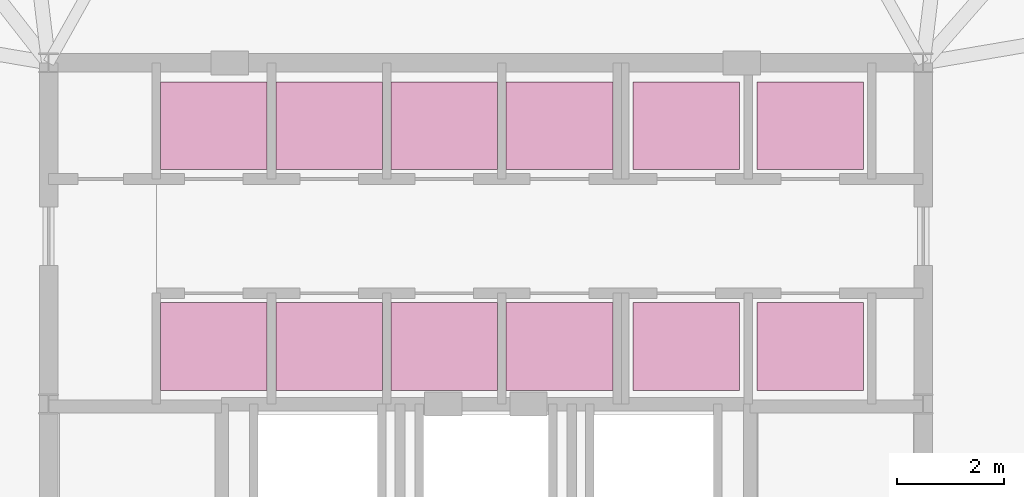
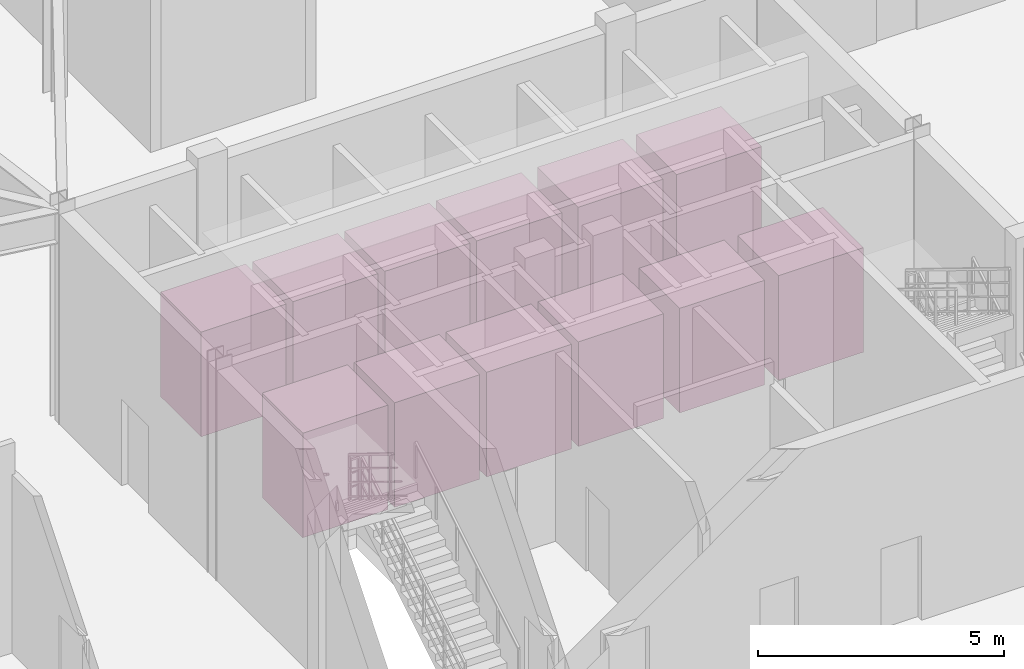
# One storey, part 20 of 20: 12 transport elements.
"""IFC4 building model written with IfcOpenShell, lengths in metres."""

from ifc_helpers import new_model, si_unit, direction, frame, origin, origin_2d, place, context, subcontext, project, spatial, rectangle, extrude, material, type_object, element, save


model = new_model("IFC4")

# Units and contexts
model_context = context("Model", 3, precision=1e-05, world=origin(), true_north=direction((0.0, 1.0)))
body_context = subcontext(model_context, "Body", "Model", "MODEL_VIEW")
ifc_project = project(units=[si_unit("LENGTHUNIT", "METRE"), si_unit("AREAUNIT", "SQUARE_METRE"), si_unit("VOLUMEUNIT", "CUBIC_METRE"), si_unit("PLANEANGLEUNIT", "RADIAN"), si_unit("MASSUNIT", "GRAM", prefix="KILO")], contexts=[model_context])

# Site, building, storey
site_placement = place(None, origin())
site = spatial("IfcSite", under=ifc_project, at=site_placement, CompositionType="ELEMENT")
building_placement = place(site_placement, origin())
building = spatial("IfcBuilding", under=site, at=building_placement, Name="Varakhsha Concourse Tower", CompositionType="ELEMENT")
storey_placement = place(building_placement, origin())
storey = spatial("IfcBuildingStorey", under=building, at=storey_placement, Name="L01", CompositionType="ELEMENT", Elevation=0.0)

# Transport elements
ifc_material = material(Name="Brushed Austenitic Stainless Steel AISI 316", Category="steel")
transport_element_type = type_object("IfcTransportElementType", Name="LIFT-CAR-PASS", PredefinedType="ELEVATOR", material=ifc_material)
for number, where, z_axis, x_axis, name in (
    (1, (34.89990234375, 30.02001953125, 0.0), (0.0, 0.0, 1.0), (1.0, 0.0, 0.0), "Low-Rise Hotel Passenger Lift LF-P01"),
    (2, (37.06005859375, 30.02001953125, 0.0), (0.0, 0.0, 1.0), (1.0, 0.0, 0.0), "Low-Rise Hotel Passenger Lift LF-P02"),
    (3, (39.219970703125, 30.02001953125, 0.0), (0.0, 0.0, 1.0), (1.0, 0.0, 0.0), "Low-Rise Hotel Passenger Lift LF-P03"),
    (4, (41.3798828125, 30.02001953125, 0.0), (0.0, 0.0, 1.0), (1.0, 0.0, 0.0), "Low-Rise Hotel Passenger Lift LF-P04"),
    (5, (34.89990234375, 25.8798828125, 0.0), (0.0, 0.0, 1.0), (1.0, 0.0, 0.0), "Mid-Rise Office Passenger Lift LF-P05"),
    (6, (37.06005859375, 25.8798828125, 0.0), (0.0, 0.0, 1.0), (1.0, 0.0, 0.0), "Mid-Rise Office Passenger Lift LF-P06"),
    (7, (39.219970703125, 25.8798828125, 0.0), (0.0, 0.0, 1.0), (1.0, 0.0, 0.0), "Mid-Rise Office Passenger Lift LF-P07"),
    (8, (41.3798828125, 25.8798828125, 0.0), (0.0, 0.0, 1.0), (1.0, 0.0, 0.0), "Mid-Rise Office Passenger Lift LF-P08"),
    (9, (43.760009765625, 30.02001953125, 0.0), (0.0, 0.0, 1.0), (1.0, 0.0, 0.0), "High-Rise Sky Office Passenger Lift LF-P09"),
    (10, (46.080078125, 30.02001953125, 0.0), (0.0, 0.0, 1.0), (1.0, 0.0, 0.0), "High-Rise Sky Office Passenger Lift LF-P10"),
    (11, (43.760009765625, 25.8798828125, 0.0), (0.0, 0.0, 1.0), (1.0, 0.0, 0.0), "High-Rise Sky Office Passenger Lift LF-P11"),
    (12, (46.080078125, 25.8798828125, 0.0), (0.0, 0.0, 1.0), (1.0, 0.0, 0.0), "High-Rise Sky Office Passenger Lift LF-P12"),
):
    element("IfcTransportElement", number, at=place(storey_placement, frame(where, z_axis=z_axis, x_axis=x_axis)), inside=storey, type_object=transport_element_type, Name=name, PredefinedType="ELEVATOR", context=body_context, shape_type="SweptSolid", body=[
        extrude(rectangle(XDim=2.0, YDim=1.64990234375, at=origin_2d()), origin(), (0.0, 0.0, 1.0), 2.60009765625),
    ])

save(model, "model.ifc")
